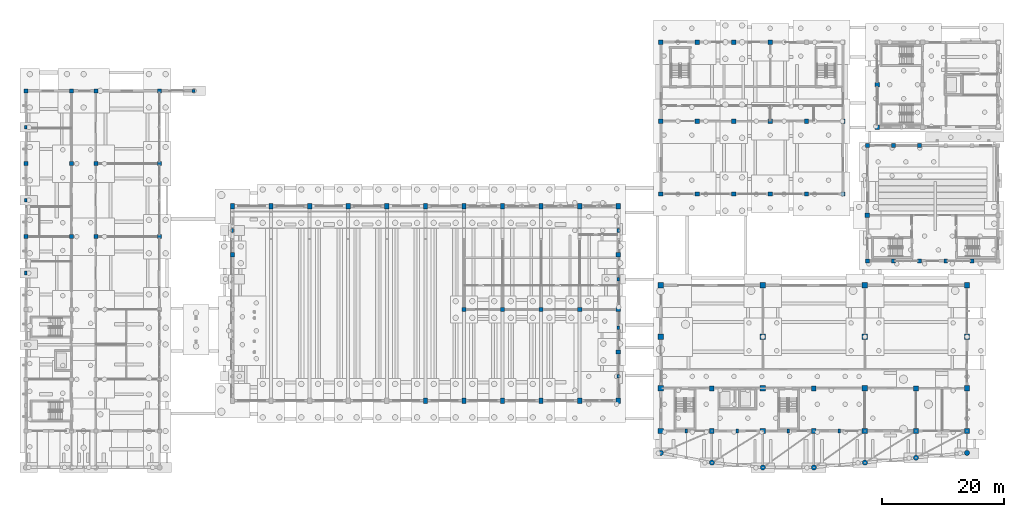
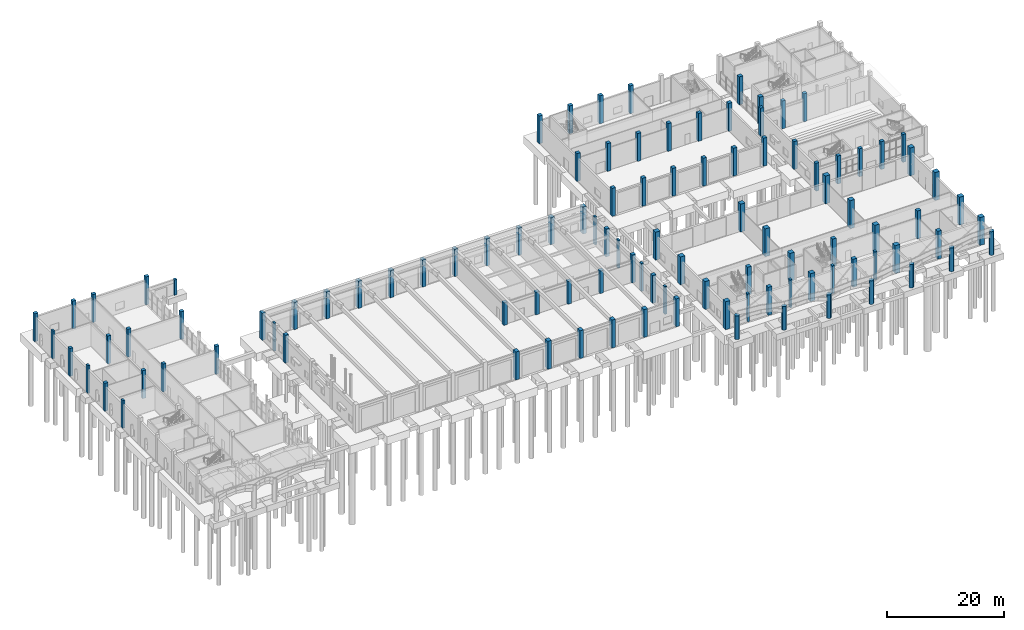
# One storey, part 11 of 60: 106 columns.
"""IFC4 building model written with IfcOpenShell, lengths in metres."""

from ifc_helpers import new_model, si_unit, direction, frame, origin, origin_2d, place, context, subcontext, project, spatial, rectangle, circle, extrude, material, material_profile, profile_set, type_object, element, save


model = new_model("IFC4")

# Units and contexts
model_context = context("Model", 3, precision=1e-05, world=origin(), true_north=direction((0.0, 1.0)))
body_context = subcontext(model_context, "Body", "Model", "MODEL_VIEW")
ifc_project = project(units=[si_unit("LENGTHUNIT", "METRE"), si_unit("AREAUNIT", "SQUARE_METRE"), si_unit("VOLUMEUNIT", "CUBIC_METRE"), si_unit("PLANEANGLEUNIT", "RADIAN"), si_unit("MASSUNIT", "GRAM", prefix="KILO")], contexts=[model_context])

# Site, building, storey
site_placement = place(None, origin())
site = spatial("IfcSite", under=ifc_project, at=site_placement, CompositionType="ELEMENT")
building_placement = place(site_placement, origin())
building = spatial("IfcBuilding", under=site, at=building_placement, Name="Trellovar Central Fire Station", CompositionType="ELEMENT")
storey_placement = place(building_placement, origin())
storey = spatial("IfcBuildingStorey", under=building, at=storey_placement, Name="L01", CompositionType="ELEMENT", Elevation=0.0)

# Columns
ifc_material_1 = material(Name="Concrete C40/50", Category="concrete")
ifc_material_profile_1 = material_profile(ifc_material_1, circle(Radius=0.425048828125, at=origin_2d()), Name="RCD850")
ifc_profile_set_1 = profile_set([ifc_material_profile_1], Name="Concrete C40/50")
column_type_1 = type_object("IfcColumnType", Name="COL-C10", PredefinedType="COLUMN", material=ifc_profile_set_1)
for number, where, z_axis, x_axis, name in (
    (1, (105.5, 5.39990234375, 0.0), (0.0, 0.0, 1.0), (1.0, 0.0, 0.0), "East concave boulevard arcade pier (105.5,5.4)"),
    (2, (113.89990234375, 3.800048828125, 0.0), (0.0, 0.0, 1.0), (1.0, 0.0, 0.0), "East concave boulevard arcade pier (113.9,3.8)"),
    (3, (122.300048828125, 3.0, 0.0), (0.0, 0.0, 1.0), (1.0, 0.0, 0.0), "East concave boulevard arcade pier (122.3,3.0)"),
    (4, (130.699951171875, 3.0, 0.0), (0.0, 0.0, 1.0), (1.0, 0.0, 0.0), "East concave boulevard arcade pier (130.7,3.0)"),
    (5, (139.10009765625, 3.800048828125, 0.0), (0.0, 0.0, 1.0), (1.0, 0.0, 0.0), "East concave boulevard arcade pier (139.1,3.8)"),
    (6, (147.5, 4.60009765625, 0.0), (0.0, 0.0, 1.0), (1.0, 0.0, 0.0), "East concave boulevard arcade pier (147.5,4.6)"),
    (7, (155.89990234375, 5.39990234375, 0.0), (0.0, 0.0, 1.0), (1.0, 0.0, 0.0), "East concave boulevard arcade pier (155.9,5.4)"),
):
    element("IfcColumn", number, at=place(storey_placement, frame(where, z_axis=z_axis, x_axis=x_axis)), inside=storey, type_object=column_type_1, Name=name, PredefinedType="COLUMN", context=body_context, shape_type="SweptSolid", body=[
        extrude(circle(Radius=0.425048828125, at=origin_2d()), origin(), (0.0, 0.0, 1.0), 4.949951171875),
    ])
ifc_material_2 = material(Name="Concrete C40/50", Category="concrete")
ifc_material_profile_2 = material_profile(ifc_material_2, rectangle(XDim=0.75, YDim=0.75, at=origin_2d()), Name="RC750X750")
ifc_profile_set_2 = profile_set([ifc_material_profile_2], Name="Concrete C40/50")
column_type_2 = type_object("IfcColumnType", Name="COL-C2", PredefinedType="COLUMN", material=ifc_profile_set_2)
for number, where, z_axis, x_axis, name in (
    (8, (113.89990234375, 9.0, 0.0), (0.0, 0.0, 1.0), (1.0, 0.0, 0.0), "V5 L01 boulevard column (113.9,9.0)"),
    (9, (113.89990234375, 16.0, 0.0), (0.0, 0.0, 1.0), (1.0, 0.0, 0.0), "V5 L01 corridor spine column (113.9,16.0)"),
    (10, (130.699951171875, 9.0, 0.0), (0.0, 0.0, 1.0), (1.0, 0.0, 0.0), "V5 L01 boulevard column (130.7,9.0)"),
    (11, (130.699951171875, 16.0, 0.0), (0.0, 0.0, 1.0), (1.0, 0.0, 0.0), "V5 L01 corridor spine column (130.7,16.0)"),
    (12, (147.5, 9.0, 0.0), (0.0, 0.0, 1.0), (1.0, 0.0, 0.0), "V5 L01 boulevard column (147.5,9.0)"),
    (13, (147.5, 16.0, 0.0), (0.0, 0.0, 1.0), (1.0, 0.0, 0.0), "V5 L01 corridor spine column (147.5,16.0)"),
    (14, (141.10009765625, 59.0, 0.0), (0.0, 0.0, 1.0), (1.0, 0.0, 0.0), "L01 column C-2"),
    (15, (141.10009765625, 66.0, 0.0), (0.0, 0.0, 1.0), (1.0, 0.0, 0.0), "L01 column C-2"),
):
    element("IfcColumn", number, at=place(storey_placement, frame(where, z_axis=z_axis, x_axis=x_axis)), inside=storey, type_object=column_type_2, Name=name, PredefinedType="COLUMN", context=body_context, shape_type="SweptSolid", body=[
        extrude(rectangle(XDim=0.75, YDim=0.75, at=origin_2d()), origin(), (0.0, 0.0, 1.0), 5.85009765625),
    ])
ifc_material_3 = material(Name="Concrete C40/50", Category="concrete")
ifc_material_profile_3 = material_profile(ifc_material_3, rectangle(XDim=0.699951171875, YDim=0.89990234375, at=origin_2d()), Name="RC700X900")
ifc_profile_set_3 = profile_set([ifc_material_profile_3], Name="Concrete C40/50")
column_type_3 = type_object("IfcColumnType", Name="COL-C3", PredefinedType="COLUMN", material=ifc_profile_set_3)
for number, where, z_axis, x_axis, name in (
    (16, (35.0, 46.0, 0.0), (0.0, 0.0, 1.0), (1.0, 0.0, 0.0), "V1 north vault pier X=35.00"),
    (17, (41.35009765625, 46.0, 0.0), (0.0, 0.0, 1.0), (1.0, 0.0, 0.0), "V1 north vault pier X=41.35"),
    (18, (47.699951171875, 46.0, 0.0), (0.0, 0.0, 1.0), (1.0, 0.0, 0.0), "V1 north vault pier X=47.70"),
    (19, (54.050048828125, 46.0, 0.0), (0.0, 0.0, 1.0), (1.0, 0.0, 0.0), "V1 north vault pier X=54.05"),
    (20, (60.39990234375, 46.0, 0.0), (0.0, 0.0, 1.0), (1.0, 0.0, 0.0), "V1 north vault pier X=60.40"),
):
    element("IfcColumn", number, at=place(storey_placement, frame(where, z_axis=z_axis, x_axis=x_axis)), inside=storey, type_object=column_type_3, Name=name, PredefinedType="COLUMN", context=body_context, shape_type="SweptSolid", body=[
        extrude(rectangle(XDim=0.699951171875, YDim=0.89990234375, at=origin_2d()), origin(), (0.0, 0.0, 1.0), 5.64990234375),
    ])
column_1_placement = place(storey_placement, frame((66.75, 14.0, 0.0), z_axis=(0.0, 0.0, 1.0), x_axis=(1.0, 0.0, 0.0)))
element("IfcColumn", 21, at=column_1_placement, inside=storey, type_object=column_type_3, Name="V1 south vault pier L01 X=66.75", PredefinedType="COLUMN", context=body_context, shape_type="SweptSolid", body=[
    extrude(rectangle(XDim=0.699951171875, YDim=0.89990234375, at=origin_2d()), origin(), (0.0, 0.0, 1.0), 5.85009765625),
])
column_2_placement = place(storey_placement, frame((66.75, 46.0, 0.0), z_axis=(0.0, 0.0, 1.0), x_axis=(1.0, 0.0, 0.0)))
element("IfcColumn", 22, at=column_2_placement, inside=storey, type_object=column_type_3, Name="V1 north vault pier X=66.75", PredefinedType="COLUMN", context=body_context, shape_type="SweptSolid", body=[
    extrude(rectangle(XDim=0.699951171875, YDim=0.89990234375, at=origin_2d()), origin(), (0.0, 0.0, 1.0), 5.64990234375),
])
column_3_placement = place(storey_placement, frame((73.10009765625, 14.0, 0.0), z_axis=(0.0, 0.0, 1.0), x_axis=(1.0, 0.0, 0.0)))
element("IfcColumn", 23, at=column_3_placement, inside=storey, type_object=column_type_3, Name="V1 south vault pier L01 X=73.10", PredefinedType="COLUMN", context=body_context, shape_type="SweptSolid", body=[
    extrude(rectangle(XDim=0.699951171875, YDim=0.89990234375, at=origin_2d()), origin(), (0.0, 0.0, 1.0), 5.85009765625),
])
column_4_placement = place(storey_placement, frame((73.10009765625, 46.0, 0.0), z_axis=(0.0, 0.0, 1.0), x_axis=(1.0, 0.0, 0.0)))
element("IfcColumn", 24, at=column_4_placement, inside=storey, type_object=column_type_3, Name="V1 north vault pier X=73.10", PredefinedType="COLUMN", context=body_context, shape_type="SweptSolid", body=[
    extrude(rectangle(XDim=0.699951171875, YDim=0.89990234375, at=origin_2d()), origin(), (0.0, 0.0, 1.0), 5.64990234375),
])
column_5_placement = place(storey_placement, frame((79.449951171875, 14.0, 0.0), z_axis=(0.0, 0.0, 1.0), x_axis=(1.0, 0.0, 0.0)))
element("IfcColumn", 25, at=column_5_placement, inside=storey, type_object=column_type_3, Name="V1 south vault pier L01 X=79.45", PredefinedType="COLUMN", context=body_context, shape_type="SweptSolid", body=[
    extrude(rectangle(XDim=0.699951171875, YDim=0.89990234375, at=origin_2d()), origin(), (0.0, 0.0, 1.0), 5.85009765625),
])
column_6_placement = place(storey_placement, frame((79.449951171875, 46.0, 0.0), z_axis=(0.0, 0.0, 1.0), x_axis=(1.0, 0.0, 0.0)))
element("IfcColumn", 26, at=column_6_placement, inside=storey, type_object=column_type_3, Name="V1 north vault pier X=79.45", PredefinedType="COLUMN", context=body_context, shape_type="SweptSolid", body=[
    extrude(rectangle(XDim=0.699951171875, YDim=0.89990234375, at=origin_2d()), origin(), (0.0, 0.0, 1.0), 5.64990234375),
])
column_7_placement = place(storey_placement, frame((85.800048828125, 14.0, 0.0), z_axis=(0.0, 0.0, 1.0), x_axis=(1.0, 0.0, 0.0)))
element("IfcColumn", 27, at=column_7_placement, inside=storey, type_object=column_type_3, Name="V1 south vault pier L01 X=85.80", PredefinedType="COLUMN", context=body_context, shape_type="SweptSolid", body=[
    extrude(rectangle(XDim=0.699951171875, YDim=0.89990234375, at=origin_2d()), origin(), (0.0, 0.0, 1.0), 5.85009765625),
])
column_8_placement = place(storey_placement, frame((85.800048828125, 46.0, 0.0), z_axis=(0.0, 0.0, 1.0), x_axis=(1.0, 0.0, 0.0)))
element("IfcColumn", 28, at=column_8_placement, inside=storey, type_object=column_type_3, Name="V1 north vault pier X=85.80", PredefinedType="COLUMN", context=body_context, shape_type="SweptSolid", body=[
    extrude(rectangle(XDim=0.699951171875, YDim=0.89990234375, at=origin_2d()), origin(), (0.0, 0.0, 1.0), 5.64990234375),
])
column_9_placement = place(storey_placement, frame((92.14990234375, 14.0, 0.0), z_axis=(0.0, 0.0, 1.0), x_axis=(1.0, 0.0, 0.0)))
element("IfcColumn", 29, at=column_9_placement, inside=storey, type_object=column_type_3, Name="V1 south vault pier L01 X=92.15", PredefinedType="COLUMN", context=body_context, shape_type="SweptSolid", body=[
    extrude(rectangle(XDim=0.699951171875, YDim=0.89990234375, at=origin_2d()), origin(), (0.0, 0.0, 1.0), 5.85009765625),
])
column_10_placement = place(storey_placement, frame((92.14990234375, 46.0, 0.0), z_axis=(0.0, 0.0, 1.0), x_axis=(1.0, 0.0, 0.0)))
element("IfcColumn", 30, at=column_10_placement, inside=storey, type_object=column_type_3, Name="V1 north vault pier X=92.15", PredefinedType="COLUMN", context=body_context, shape_type="SweptSolid", body=[
    extrude(rectangle(XDim=0.699951171875, YDim=0.89990234375, at=origin_2d()), origin(), (0.0, 0.0, 1.0), 5.64990234375),
])
column_11_placement = place(storey_placement, frame((98.5, 14.0, 0.0), z_axis=(0.0, 0.0, 1.0), x_axis=(1.0, 0.0, 0.0)))
element("IfcColumn", 31, at=column_11_placement, inside=storey, type_object=column_type_3, Name="V1 south vault pier L01 X=98.50", PredefinedType="COLUMN", context=body_context, shape_type="SweptSolid", body=[
    extrude(rectangle(XDim=0.699951171875, YDim=0.89990234375, at=origin_2d()), origin(), (0.0, 0.0, 1.0), 5.85009765625),
])
column_12_placement = place(storey_placement, frame((98.5, 46.0, 0.0), z_axis=(0.0, 0.0, 1.0), x_axis=(1.0, 0.0, 0.0)))
element("IfcColumn", 32, at=column_12_placement, inside=storey, type_object=column_type_3, Name="V1 north vault pier X=98.50", PredefinedType="COLUMN", context=body_context, shape_type="SweptSolid", body=[
    extrude(rectangle(XDim=0.699951171875, YDim=0.89990234375, at=origin_2d()), origin(), (0.0, 0.0, 1.0), 5.64990234375),
])
ifc_material_4 = material(Name="Concrete C40/50", Category="concrete")
ifc_material_profile_4 = material_profile(ifc_material_4, rectangle(XDim=0.699951171875, YDim=0.699951171875, at=origin_2d()), Name="RC700X700")
ifc_profile_set_4 = profile_set([ifc_material_profile_4], Name="Concrete C40/50")
column_type_4 = type_object("IfcColumnType", Name="COL-C4", PredefinedType="COLUMN", material=ifc_profile_set_4)
for number, where, z_axis, x_axis, name in (
    (33, (35.0, 38.0, 0.0), (0.0, 0.0, 1.0), (1.0, 0.0, 0.0), "V1 gable pier L01 (35.0,38.0)"),
    (34, (98.5, 22.0, 0.0), (0.0, 0.0, 1.0), (1.0, 0.0, 0.0), "V1 gable pier L01 (98.5,22.0)"),
    (35, (98.5, 29.0, 0.0), (0.0, 0.0, 1.0), (1.0, 0.0, 0.0), "V1 gable pier L01 (98.5,29.0)"),
    (36, (98.5, 38.0, 0.0), (0.0, 0.0, 1.0), (1.0, 0.0, 0.0), "V1 gable pier L01 (98.5,38.0)"),
):
    element("IfcColumn", number, at=place(storey_placement, frame(where, z_axis=z_axis, x_axis=x_axis)), inside=storey, type_object=column_type_4, Name=name, PredefinedType="COLUMN", context=body_context, shape_type="SweptSolid", body=[
        extrude(rectangle(XDim=0.699951171875, YDim=0.699951171875, at=origin_2d()), origin(), (0.0, 0.0, 1.0), 5.85009765625),
    ])
for number, where, z_axis, x_axis, name in (
    (37, (73.10009765625, 29.0, 0.0), (0.0, 0.0, 1.0), (1.0, 0.0, 0.0), "V1 Bays 7-10 support spine column X=73.10"),
    (38, (79.449951171875, 29.0, 0.0), (0.0, 0.0, 1.0), (1.0, 0.0, 0.0), "V1 Bays 7-10 support spine column X=79.45"),
    (39, (85.800048828125, 29.0, 0.0), (0.0, 0.0, 1.0), (1.0, 0.0, 0.0), "V1 Bays 7-10 support spine column X=85.80"),
    (40, (92.14990234375, 29.0, 0.0), (0.0, 0.0, 1.0), (1.0, 0.0, 0.0), "V1 Bays 7-10 support spine column X=92.15"),
):
    element("IfcColumn", number, at=place(storey_placement, frame(where, z_axis=z_axis, x_axis=x_axis)), inside=storey, type_object=column_type_4, Name=name, PredefinedType="COLUMN", context=body_context, shape_type="SweptSolid", body=[
        extrude(rectangle(XDim=0.699951171875, YDim=0.699951171875, at=origin_2d()), origin(), (0.0, 0.0, 1.0), 4.75),
    ])
for number, where, z_axis, x_axis, name in (
    (41, (105.5, 48.0, 0.0), (0.0, 0.0, 1.0), (1.0, 0.0, 0.0), "L01 column C-4"),
    (42, (105.5, 60.0, 0.0), (0.0, 0.0, 1.0), (1.0, 0.0, 0.0), "L01 column C-4"),
    (43, (105.5, 73.0, 0.0), (0.0, 0.0, 1.0), (1.0, 0.0, 0.0), "L01 column C-4"),
    (44, (111.5, 48.0, 0.0), (0.0, 0.0, 1.0), (1.0, 0.0, 0.0), "L01 column C-4"),
    (45, (111.5, 60.0, 0.0), (0.0, 0.0, 1.0), (1.0, 0.0, 0.0), "L01 column C-4"),
    (46, (111.5, 73.0, 0.0), (0.0, 0.0, 1.0), (1.0, 0.0, 0.0), "L01 column C-4"),
    (47, (117.5, 48.0, 0.0), (0.0, 0.0, 1.0), (1.0, 0.0, 0.0), "L01 column C-4"),
    (48, (117.5, 60.0, 0.0), (0.0, 0.0, 1.0), (1.0, 0.0, 0.0), "L01 column C-4"),
    (49, (117.5, 73.0, 0.0), (0.0, 0.0, 1.0), (1.0, 0.0, 0.0), "L01 column C-4"),
    (50, (123.5, 48.0, 0.0), (0.0, 0.0, 1.0), (1.0, 0.0, 0.0), "L01 column C-4"),
    (51, (123.5, 60.0, 0.0), (0.0, 0.0, 1.0), (1.0, 0.0, 0.0), "L01 column C-4"),
    (52, (123.5, 73.0, 0.0), (0.0, 0.0, 1.0), (1.0, 0.0, 0.0), "L01 column C-4"),
    (53, (129.5, 48.0, 0.0), (0.0, 0.0, 1.0), (1.0, 0.0, 0.0), "L01 column C-4"),
    (54, (129.5, 60.0, 0.0), (0.0, 0.0, 1.0), (1.0, 0.0, 0.0), "L01 column C-4"),
    (55, (135.5, 48.0, 0.0), (0.0, 0.0, 1.0), (1.0, 0.0, 0.0), "L01 column C-4"),
    (56, (135.5, 60.0, 0.0), (0.0, 0.0, 1.0), (1.0, 0.0, 0.0), "L01 column C-4"),
    (57, (139.5, 44.5, 0.0), (0.0, 0.0, 1.0), (1.0, 0.0, 0.0), "L01 column C-4"),
):
    element("IfcColumn", number, at=place(storey_placement, frame(where, z_axis=z_axis, x_axis=x_axis)), inside=storey, type_object=column_type_4, Name=name, PredefinedType="COLUMN", context=body_context, shape_type="SweptSolid", body=[
        extrude(rectangle(XDim=0.699951171875, YDim=0.699951171875, at=origin_2d()), origin(), (0.0, 0.0, 1.0), 5.85009765625),
    ])
ifc_material_5 = material(Name="Concrete C40/50", Category="concrete")
ifc_material_profile_5 = material_profile(ifc_material_5, rectangle(XDim=0.64990234375, YDim=0.64990234375, at=origin_2d()), Name="RC650X650")
ifc_profile_set_5 = profile_set([ifc_material_profile_5], Name="Concrete C40/50")
column_type_5 = type_object("IfcColumnType", Name="COL-C5", PredefinedType="COLUMN", material=ifc_profile_set_5)
for number, where, z_axis, x_axis, name in (
    (58, (1.0, 41.0, 0.0), (0.0, 0.0, 1.0), (1.0, 0.0, 0.0), "L01 column C-5"),
    (59, (1.0, 53.0, 0.0), (0.0, 0.0, 1.0), (1.0, 0.0, 0.0), "L01 column C-5"),
    (60, (1.0, 65.0, 0.0), (0.0, 0.0, 1.0), (1.0, 0.0, 0.0), "L01 column C-5"),
    (61, (8.5, 41.0, 0.0), (0.0, 0.0, 1.0), (1.0, 0.0, 0.0), "L01 column C-5"),
    (62, (8.5, 53.0, 0.0), (0.0, 0.0, 1.0), (1.0, 0.0, 0.0), "L01 column C-5"),
    (63, (8.5, 65.0, 0.0), (0.0, 0.0, 1.0), (1.0, 0.0, 0.0), "L01 column C-5"),
    (64, (12.5, 41.0, 0.0), (0.0, 0.0, 1.0), (1.0, 0.0, 0.0), "L01 column C-5"),
    (65, (12.5, 53.0, 0.0), (0.0, 0.0, 1.0), (1.0, 0.0, 0.0), "L01 column C-5"),
    (66, (12.5, 65.0, 0.0), (0.0, 0.0, 1.0), (1.0, 0.0, 0.0), "L01 column C-5"),
    (67, (23.0, 41.0, 0.0), (0.0, 0.0, 1.0), (1.0, 0.0, 0.0), "L01 column C-5"),
    (68, (23.0, 53.0, 0.0), (0.0, 0.0, 1.0), (1.0, 0.0, 0.0), "L01 column C-5"),
    (69, (23.0, 65.0, 0.0), (0.0, 0.0, 1.0), (1.0, 0.0, 0.0), "L01 column C-5"),
    (70, (139.5, 37.0, 0.0), (0.0, 0.0, 1.0), (1.0, 0.0, 0.0), "L01 column C-5"),
    (71, (139.5, 56.0, 0.0), (0.0, 0.0, 1.0), (1.0, 0.0, 0.0), "L01 column C-5"),
    (72, (143.800048828125, 37.0, 0.0), (0.0, 0.0, 1.0), (1.0, 0.0, 0.0), "L01 column C-5"),
    (73, (143.800048828125, 56.0, 0.0), (0.0, 0.0, 1.0), (1.0, 0.0, 0.0), "L01 column C-5"),
    (74, (148.10009765625, 37.0, 0.0), (0.0, 0.0, 1.0), (1.0, 0.0, 0.0), "L01 column C-5"),
    (75, (148.10009765625, 56.0, 0.0), (0.0, 0.0, 1.0), (1.0, 0.0, 0.0), "L01 column C-5"),
    (76, (152.39990234375, 37.0, 0.0), (0.0, 0.0, 1.0), (1.0, 0.0, 0.0), "L01 column C-5"),
    (77, (156.699951171875, 37.0, 0.0), (0.0, 0.0, 1.0), (1.0, 0.0, 0.0), "L01 column C-5"),
):
    element("IfcColumn", number, at=place(storey_placement, frame(where, z_axis=z_axis, x_axis=x_axis)), inside=storey, type_object=column_type_5, Name=name, PredefinedType="COLUMN", context=body_context, shape_type="SweptSolid", body=[
        extrude(rectangle(XDim=0.64990234375, YDim=0.64990234375, at=origin_2d()), origin(), (0.0, 0.0, 1.0), 5.85009765625),
    ])
ifc_material_6 = material(Name="Concrete C40/50", Category="concrete")
ifc_material_profile_6 = material_profile(ifc_material_6, rectangle(XDim=0.5, YDim=0.5, at=origin_2d()), Name="RC500X500")
ifc_profile_set_6 = profile_set([ifc_material_profile_6], Name="Concrete C40/50")
column_type_6 = type_object("IfcColumnType", Name="COL-C8", PredefinedType="COLUMN", material=ifc_profile_set_6)
column_13_placement = place(storey_placement, frame((28.60009765625, 65.0, 0.0), z_axis=(0.0, 0.0, 1.0), x_axis=(1.0, 0.0, 0.0)))
element("IfcColumn", 78, at=column_13_placement, inside=storey, type_object=column_type_6, Name="Staff car park gateway pier", PredefinedType="COLUMN", context=body_context, shape_type="SweptSolid", body=[
    extrude(rectangle(XDim=0.5, YDim=0.5, at=origin_2d()), origin(), (0.0, 0.0, 1.0), 3.199951171875),
])
ifc_material_7 = material(Name="Concrete C45/55", Category="concrete")
ifc_material_profile_7 = material_profile(ifc_material_7, rectangle(XDim=0.89990234375, YDim=0.89990234375, at=origin_2d()), Name="RC900X900")
ifc_profile_set_7 = profile_set([ifc_material_profile_7], Name="Concrete C45/55")
column_type_7 = type_object("IfcColumnType", Name="COL-MC1", PredefinedType="COLUMN", material=ifc_profile_set_7)
for number, where, z_axis, x_axis, name in (
    (79, (105.5, 9.0, 0.0), (0.0, 0.0, 1.0), (1.0, 0.0, 0.0), "V5 L01 mega-column (105.5,9.0)"),
    (80, (105.5, 16.0, 0.0), (0.0, 0.0, 1.0), (1.0, 0.0, 0.0), "V5 L01 mega-column (105.5,16.0)"),
    (81, (105.5, 24.5, 0.0), (0.0, 0.0, 1.0), (1.0, 0.0, 0.0), "V5 L01 mega-column (105.5,24.5)"),
    (82, (105.5, 33.0, 0.0), (0.0, 0.0, 1.0), (1.0, 0.0, 0.0), "V5 L01 mega-column (105.5,33.0)"),
    (83, (122.300048828125, 9.0, 0.0), (0.0, 0.0, 1.0), (1.0, 0.0, 0.0), "V5 L01 mega-column (122.3,9.0)"),
    (84, (122.300048828125, 16.0, 0.0), (0.0, 0.0, 1.0), (1.0, 0.0, 0.0), "V5 L01 mega-column (122.3,16.0)"),
    (85, (122.300048828125, 24.5, 0.0), (0.0, 0.0, 1.0), (1.0, 0.0, 0.0), "V5 L01 mega-column (122.3,24.5)"),
    (86, (122.300048828125, 33.0, 0.0), (0.0, 0.0, 1.0), (1.0, 0.0, 0.0), "V5 L01 mega-column (122.3,33.0)"),
    (87, (139.10009765625, 9.0, 0.0), (0.0, 0.0, 1.0), (1.0, 0.0, 0.0), "V5 L01 mega-column (139.1,9.0)"),
    (88, (139.10009765625, 16.0, 0.0), (0.0, 0.0, 1.0), (1.0, 0.0, 0.0), "V5 L01 mega-column (139.1,16.0)"),
    (89, (139.10009765625, 24.5, 0.0), (0.0, 0.0, 1.0), (1.0, 0.0, 0.0), "V5 L01 mega-column (139.1,24.5)"),
    (90, (139.10009765625, 33.0, 0.0), (0.0, 0.0, 1.0), (1.0, 0.0, 0.0), "V5 L01 mega-column (139.1,33.0)"),
    (91, (155.89990234375, 9.0, 0.0), (0.0, 0.0, 1.0), (1.0, 0.0, 0.0), "V5 L01 mega-column (155.9,9.0)"),
    (92, (155.89990234375, 16.0, 0.0), (0.0, 0.0, 1.0), (1.0, 0.0, 0.0), "V5 L01 mega-column (155.9,16.0)"),
    (93, (155.89990234375, 24.5, 0.0), (0.0, 0.0, 1.0), (1.0, 0.0, 0.0), "V5 L01 mega-column (155.9,24.5)"),
    (94, (155.89990234375, 33.0, 0.0), (0.0, 0.0, 1.0), (1.0, 0.0, 0.0), "V5 L01 mega-column (155.9,33.0)"),
):
    element("IfcColumn", number, at=place(storey_placement, frame(where, z_axis=z_axis, x_axis=x_axis)), inside=storey, type_object=column_type_7, Name=name, PredefinedType="COLUMN", context=body_context, shape_type="SweptSolid", body=[
        extrude(rectangle(XDim=0.89990234375, YDim=0.89990234375, at=origin_2d()), origin(), (0.0, 0.0, 1.0), 5.85009765625),
    ])
ifc_material_8 = material(Name="Concrete C40/50", Category="concrete")
ifc_material_profile_8 = material_profile(ifc_material_8, rectangle(XDim=0.39990234375, YDim=0.60009765625, at=origin_2d()), Name="RC400X600")
ifc_profile_set_8 = profile_set([ifc_material_profile_8], Name="Concrete C40/50")
column_type_8 = type_object("IfcColumnType", Name="COL-PIL1", PredefinedType="PILASTER", material=ifc_profile_set_8)
for number, where, z_axis, x_axis, name in (
    (95, (1.0, 35.0, 0.0), (0.0, 0.0, 1.0), (1.0, 0.0, 0.0), "V4 west projecting sun-pier L01-3"),
    (96, (1.0, 47.0, 0.0), (0.0, 0.0, 1.0), (1.0, 0.0, 0.0), "V4 west projecting sun-pier L01-4"),
    (97, (1.0, 59.0, 0.0), (0.0, 0.0, 1.0), (1.0, 0.0, 0.0), "V4 west projecting sun-pier L01-5"),
    (98, (35.0, 42.0, 0.0), (0.0, 0.0, 1.0), (1.0, 0.0, 0.0), "V1 polychrome gable buttress pier 3"),
    (99, (98.5, 18.0, 0.0), (0.0, 0.0, 1.0), (1.0, 0.0, 0.0), "V1 polychrome gable buttress pier 4"),
    (100, (98.5, 26.0, 0.0), (0.0, 0.0, 1.0), (1.0, 0.0, 0.0), "V1 polychrome gable buttress pier 5"),
    (101, (98.5, 34.0, 0.0), (0.0, 0.0, 1.0), (1.0, 0.0, 0.0), "V1 polychrome gable buttress pier 6"),
    (102, (98.5, 42.0, 0.0), (0.0, 0.0, 1.0), (1.0, 0.0, 0.0), "V1 polychrome gable buttress pier 7"),
    (103, (109.699951171875, 9.0, 0.0), (0.0, 0.0, 1.0), (1.0, 0.0, 0.0), "V5 south boulevard sun-pier L01-1"),
    (104, (118.10009765625, 9.0, 0.0), (0.0, 0.0, 1.0), (1.0, 0.0, 0.0), "V5 south boulevard sun-pier L01-2"),
    (105, (126.5, 9.0, 0.0), (0.0, 0.0, 1.0), (1.0, 0.0, 0.0), "V5 south boulevard sun-pier L01-3"),
    (106, (134.89990234375, 9.0, 0.0), (0.0, 0.0, 1.0), (1.0, 0.0, 0.0), "V5 south boulevard sun-pier L01-4"),
):
    element("IfcColumn", number, at=place(storey_placement, frame(where, z_axis=z_axis, x_axis=x_axis)), inside=storey, type_object=column_type_8, Name=name, PredefinedType="PILASTER", context=body_context, shape_type="SweptSolid", body=[
        extrude(rectangle(XDim=0.39990234375, YDim=0.60009765625, at=origin_2d()), origin(), (0.0, 0.0, 1.0), 5.85009765625),
    ])

save(model, "model.ifc")
